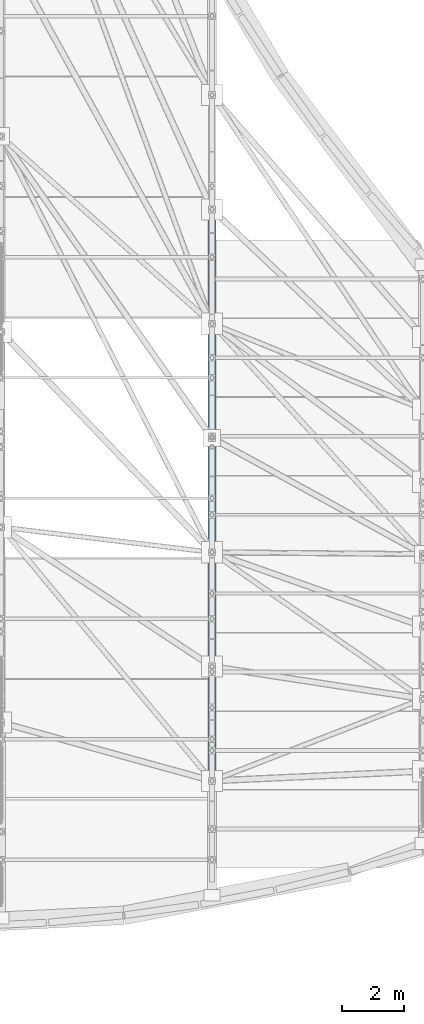
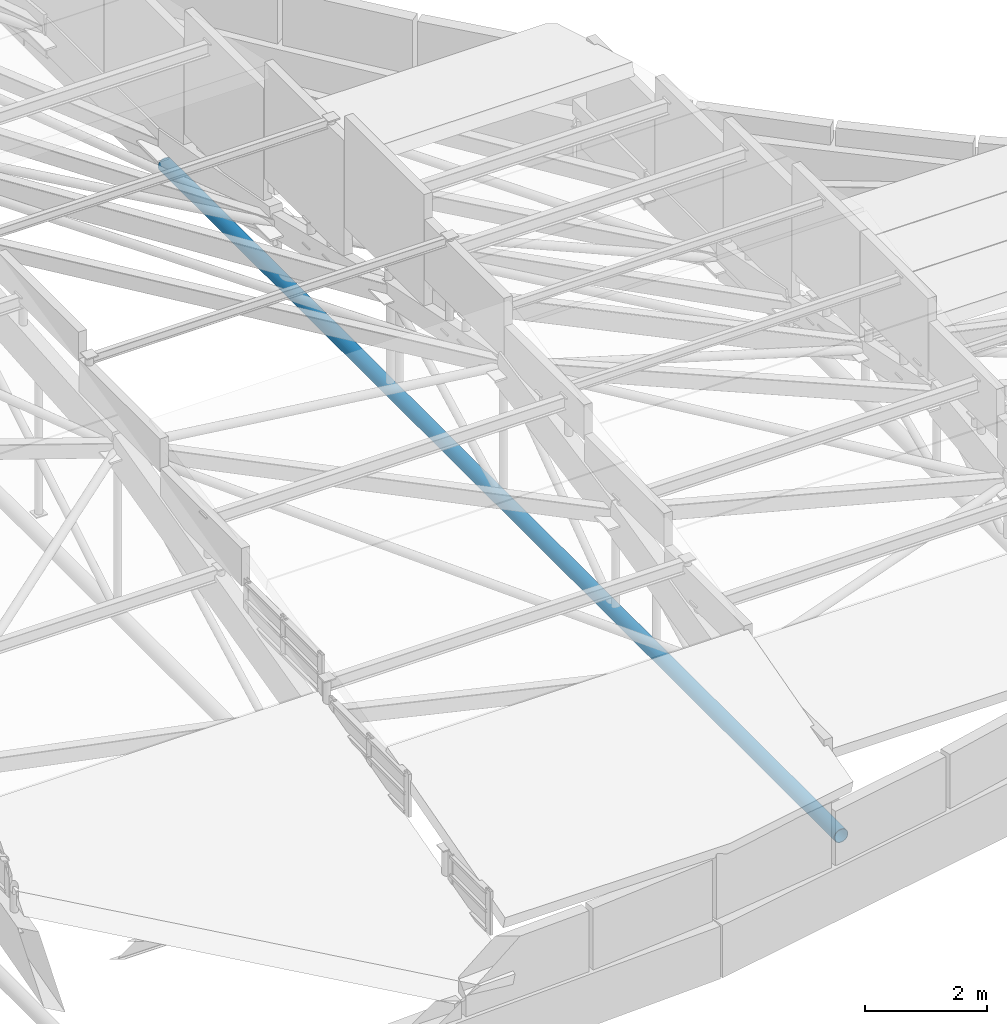
# One storey, part 31 of 188: 1 member.
"""IFC4 building model written with IfcOpenShell, lengths in metres."""

from ifc_helpers import new_model, si_unit, direction, frame, origin, origin_2d, place, context, subcontext, project, spatial, hollow_circle, extrude, material, material_profile, profile_set, type_object, element, save


model = new_model("IFC4")

# Units and contexts
model_context = context("Model", 3, precision=1e-05, world=origin(), true_north=direction((0.0, 1.0)))
body_context = subcontext(model_context, "Body", "Model", "MODEL_VIEW")
ifc_project = project(units=[si_unit("LENGTHUNIT", "METRE"), si_unit("AREAUNIT", "SQUARE_METRE"), si_unit("VOLUMEUNIT", "CUBIC_METRE"), si_unit("PLANEANGLEUNIT", "RADIAN"), si_unit("MASSUNIT", "GRAM", prefix="KILO")], contexts=[model_context])

# Site, building, storey
site_placement = place(None, origin())
site = spatial("IfcSite", under=ifc_project, at=site_placement, CompositionType="ELEMENT")
building_placement = place(site_placement, origin())
building = spatial("IfcBuilding", under=site, at=building_placement, Name="Kisaragi Civic Commons", CompositionType="ELEMENT")
storey_placement = place(building_placement, frame((0.0, 0.0, 9.60009765625)))
storey = spatial("IfcBuildingStorey", under=building, at=storey_placement, Name="L02", CompositionType="ELEMENT", Elevation=9.60009765625)

# Member
ifc_material = material(Name="Steel SN490 (SN490B)", Category="steel")
ifc_material_profile = material_profile(ifc_material, hollow_circle(Radius=0.1337890625, WallThickness=0.009033203125, at=origin_2d()), Name="CHS-267.4x9.0", Category="steel")
ifc_profile_set = profile_set([ifc_material_profile], Name="Steel SN490 (SN490B)")
member_type = type_object("IfcMemberType", Name="ST-T1", PredefinedType="STRUT", material=ifc_profile_set)
member_placement = place(storey_placement, frame((34.0, 2.3583984375, -0.080078125), z_axis=(0.0, 1.0, 0.0), x_axis=(-1.0, 0.0, 0.0)))
element("IfcMember", 1, at=member_placement, inside=storey, type_object=member_type, Name="V1 arch tension tie ST-T1 69", PredefinedType="STRUT", context=body_context, shape_type="SweptSolid", body=[
    extrude(hollow_circle(Radius=0.1337890625, WallThickness=0.009033203125, at=origin_2d()), origin(), (0.0, 0.0, 1.0), 22.08984375),
])

save(model, "model.ifc")
